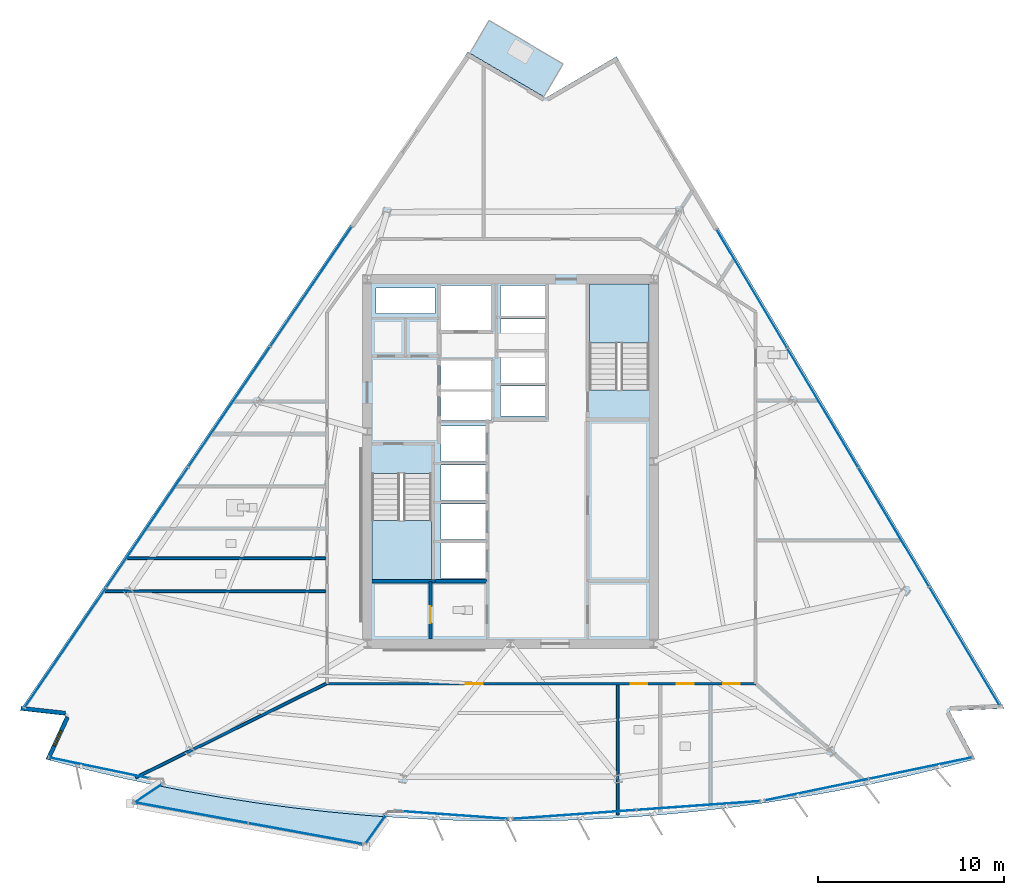
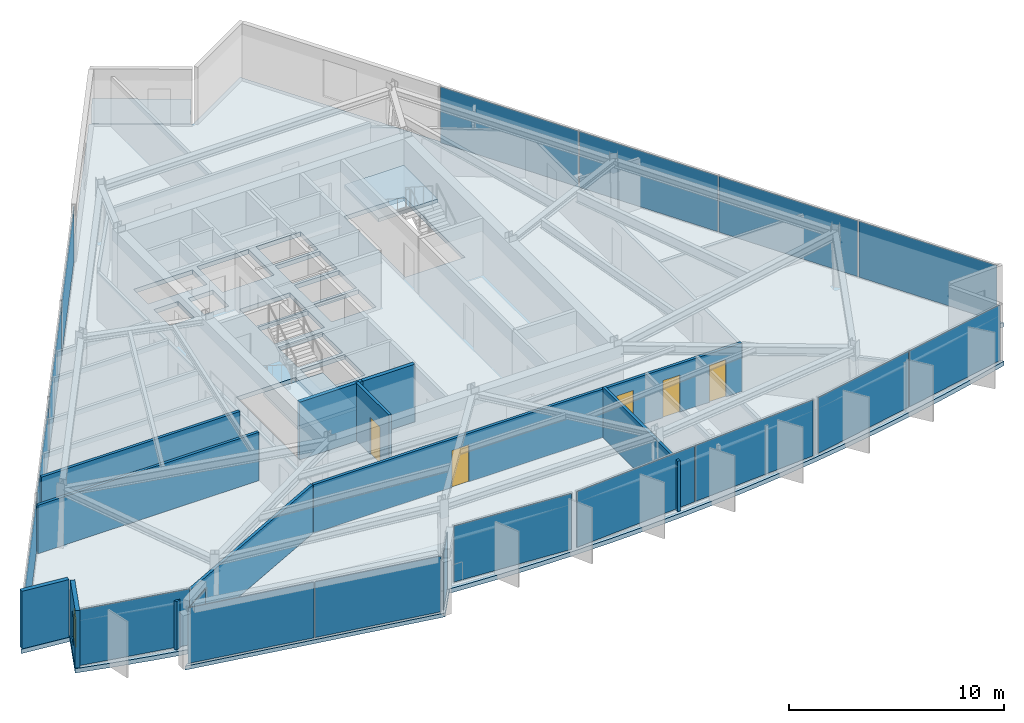
# One storey, part 7 of 14: 18 plates, 10 walls, 5 doors, 5 slabs, 1 window, 6 openings, 11 elements without a shape of their own.
"""IFC4 building model written with IfcOpenShell, lengths in metres."""

from ifc_helpers import new_model, si_unit, direction, frame, frame_2d, origin, origin_2d, place, context, subcontext, project, spatial, polyline, rectangle, outline, extrude, material, layer, layer_set, type_object, element, fill, aggregate, save


model = new_model("IFC4")

# Units and contexts
model_context = context("Model", 3, precision=1e-05, world=origin(), true_north=direction((0.0, 1.0)))
body_context = subcontext(model_context, "Body", "Model", "MODEL_VIEW")
ifc_project = project(units=[si_unit("LENGTHUNIT", "METRE"), si_unit("AREAUNIT", "SQUARE_METRE"), si_unit("VOLUMEUNIT", "CUBIC_METRE"), si_unit("PLANEANGLEUNIT", "RADIAN"), si_unit("MASSUNIT", "GRAM", prefix="KILO")], contexts=[model_context])

# Site, building, storey
site_placement = place(None, origin())
site = spatial("IfcSite", under=ifc_project, at=site_placement, CompositionType="ELEMENT")
building_placement = place(site_placement, origin())
building = spatial("IfcBuilding", under=site, at=building_placement, Name="Savorim Split Tower", CompositionType="ELEMENT")
storey_placement = place(building_placement, frame((0.0, 0.0, 181.800048828125)))
storey = spatial("IfcBuildingStorey", under=building, at=storey_placement, Name="L48", CompositionType="ELEMENT", Elevation=181.800048828125)

# Curtain wall, plate
ifc_material_1 = material(Name="Dark Ceramic-Fritted Insulated Glass", Category="glass")
curtain_wall_type_1 = type_object("IfcCurtainWallType", Name="CW-TWR-FRIT-B", PredefinedType="NOTDEFINED", material=ifc_material_1)
curtain_wall_1_placement = place(storey_placement, origin())
curtain_wall_1 = element("IfcCurtainWall", 1, at=curtain_wall_1_placement, inside=storey, type_object=curtain_wall_type_1, Name="L48 Curtain Wall CW-L48-SF1A", PredefinedType="NOTDEFINED")
ifc_layer_1 = layer(ifc_material_1, 0.02587890625)
ifc_layer_set_1 = layer_set([ifc_layer_1], Name="CWP-FRITB-26")
plate_type_1 = type_object("IfcPlateType", Name="CWP-FRITB-26", PredefinedType="CURTAIN_PANEL", material=ifc_layer_set_1)
plate_1_placement = place(storey_placement, frame((-22.120849609375, -16.081298828125, 0.0498046875), z_axis=(0.0, 0.0, 1.0), x_axis=(0.979132901408, -0.203220966883, 0.0)))
plate_1 = element("IfcPlate", 2, at=plate_1_placement, type_object=plate_type_1, Name="CW-03 panel 1.1", PredefinedType="CURTAIN_PANEL", context=body_context, shape_type="SweptSolid", body=[
    extrude(rectangle(XDim=5.4951171875, YDim=0.02587890625, at=origin_2d()), origin(), (0.0, 0.0, 1.0), 3.179931640625),
])
aggregate(curtain_wall_1, [plate_1])

curtain_wall_2_placement = place(storey_placement, origin())
curtain_wall_2 = element("IfcCurtainWall", 3, at=curtain_wall_2_placement, inside=storey, type_object=curtain_wall_type_1, Name="L48 Curtain Wall CW-L48-SF2A", PredefinedType="NOTDEFINED")
plate_2_placement = place(storey_placement, frame((-3.1806640625, -18.603515625, 0.0498046875), z_axis=(0.0, 0.0, 1.0), x_axis=(0.99743619777, -0.07156138189, 0.0)))
plate_2 = element("IfcPlate", 4, at=plate_2_placement, type_object=plate_type_1, Name="CW-03 panel 1.1", PredefinedType="CURTAIN_PANEL", context=body_context, shape_type="SweptSolid", body=[
    extrude(rectangle(XDim=6.07470703125, YDim=0.02587890625, at=origin_2d()), origin(), (0.0, 0.0, 1.0), 3.179931640625),
])
aggregate(curtain_wall_2, [plate_2])

# Curtain wall, plates
curtain_wall_3_placement = place(storey_placement, origin())
curtain_wall_3 = element("IfcCurtainWall", 5, at=curtain_wall_3_placement, inside=storey, type_object=curtain_wall_type_1, Name="L48 Curtain Wall CW-L48-SF3A", PredefinedType="NOTDEFINED")
plate_3_placement = place(storey_placement, frame((3.448974609375, -18.584228515625, 0.0498046875), z_axis=(0.0, 0.0, 1.0), x_axis=(0.997436348097, 0.07155928658, 0.0)))
plate_3 = element("IfcPlate", 6, at=plate_3_placement, type_object=plate_type_1, Name="CW-03 panel 1.1", PredefinedType="CURTAIN_PANEL", context=body_context, shape_type="SweptSolid", body=[
    extrude(rectangle(XDim=6.61279296875, YDim=0.02587890625, at=origin_2d()), origin(), (0.0, 0.0, 1.0), 3.179931640625),
])
plate_4_placement = place(storey_placement, frame((10.104736328125, -18.106689453125, 0.0498046875), z_axis=(0.0, 0.0, 1.0), x_axis=(0.997436348097, 0.07155928658, 0.0)))
plate_4 = element("IfcPlate", 7, at=plate_4_placement, type_object=plate_type_1, Name="CW-03 panel 2.1", PredefinedType="CURTAIN_PANEL", context=body_context, shape_type="SweptSolid", body=[
    extrude(rectangle(XDim=6.61279296875, YDim=0.02587890625, at=origin_2d()), origin(), (0.0, 0.0, 1.0), 3.179931640625),
])
aggregate(curtain_wall_3, [plate_3, plate_4])

curtain_wall_4_placement = place(storey_placement, origin())
curtain_wall_4 = element("IfcCurtainWall", 8, at=curtain_wall_4_placement, inside=storey, type_object=curtain_wall_type_1, Name="L48 Curtain Wall CW-L48-SF4A", PredefinedType="NOTDEFINED")
plate_5_placement = place(storey_placement, frame((16.46533203125, -17.255126953125, 0.0498046875), z_axis=(0.0, 0.0, 1.0), x_axis=(0.979133837467, 0.20321645683, 0.0)))
plate_5 = element("IfcPlate", 9, at=plate_5_placement, type_object=plate_type_1, Name="CW-03 panel 1.1", PredefinedType="CURTAIN_PANEL", context=body_context, shape_type="SweptSolid", body=[
    extrude(rectangle(XDim=5.642333984375, YDim=0.02587890625, at=origin_2d()), origin(), (0.0, 0.0, 1.0), 3.179931640625),
])
plate_6_placement = place(storey_placement, frame((22.048583984375, -16.09619140625, 0.0498046875), z_axis=(0.0, 0.0, 1.0), x_axis=(0.979133837467, 0.20321645683, 0.0)))
plate_6 = element("IfcPlate", 10, at=plate_6_placement, type_object=plate_type_1, Name="CW-03 panel 2.1", PredefinedType="CURTAIN_PANEL", context=body_context, shape_type="SweptSolid", body=[
    extrude(rectangle(XDim=5.642333984375, YDim=0.02587890625, at=origin_2d()), origin(), (0.0, 0.0, 1.0), 3.179931640625),
])
aggregate(curtain_wall_4, [plate_5, plate_6])

curtain_wall_5_placement = place(storey_placement, origin())
curtain_wall_5 = element("IfcCurtainWall", 11, at=curtain_wall_5_placement, inside=storey, type_object=curtain_wall_type_1, Name="L48 Curtain Wall CW-L48-EAST", PredefinedType="NOTDEFINED")
plate_7_placement = place(storey_placement, frame((24.410400390625, -9.536865234375, 0.0498046875), z_axis=(0.0, 0.0, 1.0), x_axis=(-0.511093786039, 0.85952495128, 0.0)))
plate_7 = element("IfcPlate", 12, at=plate_7_placement, type_object=plate_type_1, Name="CW-03 panel 1.1", PredefinedType="CURTAIN_PANEL", context=body_context, shape_type="SweptSolid", body=[
    extrude(rectangle(XDim=7.37353515625, YDim=0.02587890625, at=origin_2d()), origin(), (0.0, 0.0, 1.0), 3.179931640625),
])
plate_8_placement = place(storey_placement, frame((20.603515625, -3.134765625, 0.0498046875), z_axis=(0.0, 0.0, 1.0), x_axis=(-0.511093786039, 0.85952495128, 0.0)))
plate_8 = element("IfcPlate", 13, at=plate_8_placement, type_object=plate_type_1, Name="CW-03 panel 2.1", PredefinedType="CURTAIN_PANEL", context=body_context, shape_type="SweptSolid", body=[
    extrude(rectangle(XDim=7.403564453125, YDim=0.02587890625, at=origin_2d()), origin(), (0.0, 0.0, 1.0), 3.179931640625),
])
plate_9_placement = place(storey_placement, frame((16.7890625, 3.2802734375, 0.0498046875), z_axis=(0.0, 0.0, 1.0), x_axis=(-0.511093786039, 0.85952495128, 0.0)))
plate_9 = element("IfcPlate", 14, at=plate_9_placement, type_object=plate_type_1, Name="CW-03 panel 3.1", PredefinedType="CURTAIN_PANEL", context=body_context, shape_type="SweptSolid", body=[
    extrude(rectangle(XDim=7.403564453125, YDim=0.02587890625, at=origin_2d()), origin(), (0.0, 0.0, 1.0), 3.179931640625),
])
plate_10_placement = place(storey_placement, frame((12.982177734375, 9.682373046875, 0.0498046875), z_axis=(0.0, 0.0, 1.0), x_axis=(-0.511093786039, 0.85952495128, 0.0)))
plate_10 = element("IfcPlate", 15, at=plate_10_placement, type_object=plate_type_1, Name="CW-03 panel 4.1", PredefinedType="CURTAIN_PANEL", context=body_context, shape_type="SweptSolid", body=[
    extrude(rectangle(XDim=7.37353515625, YDim=0.02587890625, at=origin_2d()), origin(), (0.0, 0.0, 1.0), 3.179931640625),
])
aggregate(curtain_wall_5, [plate_7, plate_8, plate_9, plate_10])

curtain_wall_6_placement = place(storey_placement, origin())
curtain_wall_6 = element("IfcCurtainWall", 16, at=curtain_wall_6_placement, inside=storey, type_object=curtain_wall_type_1, Name="L48 Curtain Wall CW-L48-WEST", PredefinedType="NOTDEFINED")
plate_11_placement = place(storey_placement, frame((-10.730224609375, 9.800048828125, 0.0498046875), z_axis=(0.0, 0.0, 1.0), x_axis=(-0.562467714384, -0.826819248854, 0.0)))
plate_11 = element("IfcPlate", 17, at=plate_11_placement, type_object=plate_type_1, Name="CW-03 panel 1.1", PredefinedType="CURTAIN_PANEL", context=body_context, shape_type="SweptSolid", body=[
    extrude(rectangle(XDim=7.74951171875, YDim=0.02587890625, at=origin_2d()), origin(), (0.0, 0.0, 1.0), 3.179931640625),
])
plate_12_placement = place(storey_placement, frame((-15.13134765625, 3.33056640625, 0.0498046875), z_axis=(0.0, 0.0, 1.0), x_axis=(-0.562467714384, -0.826819248854, 0.0)))
plate_12 = element("IfcPlate", 18, at=plate_12_placement, type_object=plate_type_1, Name="CW-03 panel 2.1", PredefinedType="CURTAIN_PANEL", context=body_context, shape_type="SweptSolid", body=[
    extrude(rectangle(XDim=7.779541015625, YDim=0.02587890625, at=origin_2d()), origin(), (0.0, 0.0, 1.0), 3.179931640625),
])
plate_13_placement = place(storey_placement, frame((-19.540771484375, -3.1513671875, 0.0498046875), z_axis=(0.0, 0.0, 1.0), x_axis=(-0.562467714384, -0.826819248854, 0.0)))
plate_13 = element("IfcPlate", 19, at=plate_13_placement, type_object=plate_type_1, Name="CW-03 panel 3.1", PredefinedType="CURTAIN_PANEL", context=body_context, shape_type="SweptSolid", body=[
    extrude(rectangle(XDim=7.779541015625, YDim=0.02587890625, at=origin_2d()), origin(), (0.0, 0.0, 1.0), 3.179931640625),
])
plate_14_placement = place(storey_placement, frame((-23.94189453125, -9.620849609375, 0.0498046875), z_axis=(0.0, 0.0, 1.0), x_axis=(-0.562467714384, -0.826819248854, 0.0)))
plate_14 = element("IfcPlate", 20, at=plate_14_placement, type_object=plate_type_1, Name="CW-03 panel 4.1", PredefinedType="CURTAIN_PANEL", context=body_context, shape_type="SweptSolid", body=[
    extrude(rectangle(XDim=7.74951171875, YDim=0.02587890625, at=origin_2d()), origin(), (0.0, 0.0, 1.0), 3.179931640625),
])
aggregate(curtain_wall_6, [plate_11, plate_12, plate_13, plate_14])

curtain_wall_type_2 = type_object("IfcCurtainWallType", Name="CW-BAY-LOUNGE", PredefinedType="NOTDEFINED", material=ifc_material_1)
curtain_wall_7_placement = place(storey_placement, origin())
curtain_wall_7 = element("IfcCurtainWall", 21, at=curtain_wall_7_placement, inside=storey, type_object=curtain_wall_type_2, Name="L48 Curtain Wall CW-L48-BAYF", PredefinedType="NOTDEFINED")
ifc_material_2 = material(Name="Low-E Operable Double Glazing", Category="glass")
ifc_layer_2 = layer(ifc_material_2, 0.031982421875)
ifc_layer_set_2 = layer_set([ifc_layer_2], Name="CWP-POD-32")
plate_type_2 = type_object("IfcPlateType", Name="CWP-POD-32", PredefinedType="CURTAIN_PANEL", material=ifc_layer_set_2)
plate_15_placement = place(storey_placement, frame((-17.201171875, -18.489501953125, 0.054931640625), z_axis=(0.0, 0.0, 1.0), x_axis=(0.983754673364, -0.17951808442, 0.0)))
plate_15 = element("IfcPlate", 22, at=plate_15_placement, type_object=plate_type_2, Name="CW-04 panel 1.1", PredefinedType="CURTAIN_PANEL", context=body_context, shape_type="SweptSolid", body=[
    extrude(rectangle(XDim=6.22412109375, YDim=0.031982421875, at=origin_2d()), origin(), (0.0, 0.0, 1.0), 3.169921875),
])
plate_16_placement = place(storey_placement, frame((-11.01416015625, -19.618408203125, 0.054931640625), z_axis=(0.0, 0.0, 1.0), x_axis=(0.983754673364, -0.17951808442, 0.0)))
plate_16 = element("IfcPlate", 23, at=plate_16_placement, type_object=plate_type_2, Name="CW-04 panel 2.1", PredefinedType="CURTAIN_PANEL", context=body_context, shape_type="SweptSolid", body=[
    extrude(rectangle(XDim=6.22412109375, YDim=0.031982421875, at=origin_2d()), origin(), (0.0, 0.0, 1.0), 3.169921875),
])
aggregate(curtain_wall_7, [plate_15, plate_16])

# Curtain wall, plate
curtain_wall_8_placement = place(storey_placement, origin())
curtain_wall_8 = element("IfcCurtainWall", 24, at=curtain_wall_8_placement, inside=storey, type_object=curtain_wall_type_2, Name="L48 Curtain Wall CW-L48-BAYW", PredefinedType="NOTDEFINED")
plate_17_placement = place(storey_placement, frame((-19.4755859375, -17.45166015625, 0.054931640625), z_axis=(0.0, 0.0, 1.0), x_axis=(-0.829416830494, -0.558630218743, 0.0)))
plate_17 = element("IfcPlate", 25, at=plate_17_placement, type_object=plate_type_2, Name="CW-04 panel 1.1", PredefinedType="CURTAIN_PANEL", context=body_context, shape_type="SweptSolid", body=[
    extrude(rectangle(XDim=1.705078125, YDim=0.031982421875, at=origin_2d()), origin(), (0.0, 0.0, 1.0), 3.169921875),
])
aggregate(curtain_wall_8, [plate_17])

curtain_wall_9_placement = place(storey_placement, origin())
curtain_wall_9 = element("IfcCurtainWall", 26, at=curtain_wall_9_placement, inside=storey, type_object=curtain_wall_type_2, Name="L48 Curtain Wall CW-L48-BAYE", PredefinedType="NOTDEFINED")
plate_18_placement = place(storey_placement, frame((-7.248291015625, -19.3798828125, 0.054931640625), z_axis=(0.0, 0.0, 1.0), x_axis=(0.581096777176, 0.813834464468, 0.0)))
plate_18 = element("IfcPlate", 27, at=plate_18_placement, type_object=plate_type_2, Name="CW-04 panel 1.1", PredefinedType="CURTAIN_PANEL", context=body_context, shape_type="SweptSolid", body=[
    extrude(rectangle(XDim=1.81005859375, YDim=0.031982421875, at=origin_2d()), origin(), (0.0, 0.0, 1.0), 3.169921875),
])
aggregate(curtain_wall_9, [plate_18])

# Slabs
ifc_material_3 = material(Name="Concrete C50/60", Category="concrete")
ifc_layer_3 = layer(ifc_material_3, 0.219970703125)
ifc_layer_set_3 = layer_set([ifc_layer_3], Name="SLB-BAL-220")
slab_type_1 = type_object("IfcSlabType", Name="SLB-BAL-220", PredefinedType="FLOOR", material=ifc_layer_set_3)
slab_1_placement = place(storey_placement, frame((0.0, 0.0, -0.219970703125)))
element("IfcSlab", 28, at=slab_1_placement, inside=storey, type_object=slab_type_1, Name="L48 Cantilevered Shared Kitchen Lounge Slab", PredefinedType="FLOOR", context=body_context, shape_type="SweptSolid", body=[
    extrude(outline(polyline([(-6.650146484375, -18.714111328125), (-7.772705078125, -18.6337890625), (-9.709716796875, -18.454833984375), (-11.642578125, -18.236328125), (-13.57080078125, -17.978515625), (-15.4931640625, -17.680908203125), (-17.4091796875, -17.34423828125), (-19.023193359375, -17.026611328125), (-20.462646484375, -17.995849609375), (-7.78857421875, -20.30859375), (-6.650146484375, -18.714111328125)])), origin(), (0.0, 0.0, 1.0), 0.219970703125),
])
slab_2_placement = place(storey_placement, frame((0.0, 0.0, -0.219970703125)))
element("IfcSlab", 29, at=slab_2_placement, inside=storey, type_object=slab_type_1, Name="L48 Notched Corner Planted Tree Balcony Slab", PredefinedType="FLOOR", context=body_context, shape_type="SweptSolid", body=[
    extrude(outline(polyline([(-2.189453125, 22.35595703125), (1.791015625, 20.0166015625), (2.8271484375, 21.779541015625), (-1.1533203125, 24.119140625), (-2.189453125, 22.35595703125)])), origin(), (0.0, 0.0, 1.0), 0.219970703125),
])

# Stair, slab
stair_type = type_object("IfcStairType", Name="STR-DOG-3600", PredefinedType="HALF_TURN_STAIR", material=ifc_material_3)
stair_1_placement = place(storey_placement, origin())
stair_1 = element("IfcStair", 30, at=stair_1_placement, inside=storey, type_object=stair_type, Name="L48 Core Protected Exit Stair ST-1", PredefinedType="HALF_TURN_STAIR")
ifc_layer_4 = layer(ifc_material_3, 0.199951171875)
ifc_layer_set_4 = layer_set([ifc_layer_4], Name="SLB-LND-200")
slab_type_2 = type_object("IfcSlabType", Name="SLB-LND-200", PredefinedType="LANDING", material=ifc_layer_set_4)
slab_3_placement = place(storey_placement, frame((0.0, 0.0, 1.599853515625)))
slab_3 = element("IfcSlab", 31, at=slab_3_placement, type_object=slab_type_2, Name="ST-1 landing 1", PredefinedType="LANDING", context=body_context, shape_type="SweptSolid", body=[
    extrude(outline(polyline([(-7.449951171875, -2.77001953125), (-7.449951171875, -5.949951171875), (-4.25, -5.949951171875), (-4.25, -2.77001953125), (-7.449951171875, -2.77001953125)])), origin(), (0.0, 0.0, 1.0), 0.2001953125),
])
aggregate(stair_1, [slab_3])

stair_2_placement = place(storey_placement, origin())
stair_2 = element("IfcStair", 32, at=stair_2_placement, inside=storey, type_object=stair_type, Name="L48 Core Protected Exit Stair ST-2", PredefinedType="HALF_TURN_STAIR")
slab_4_placement = place(storey_placement, frame((0.0, 0.0, 1.599853515625)))
slab_4 = element("IfcSlab", 33, at=slab_4_placement, type_object=slab_type_2, Name="ST-2 landing 1", PredefinedType="LANDING", context=body_context, shape_type="SweptSolid", body=[
    extrude(outline(polyline([(7.449951171875, 6.77001953125), (7.449951171875, 9.949951171875), (4.25, 9.949951171875), (4.25, 6.77001953125), (7.449951171875, 6.77001953125)])), origin(), (0.0, 0.0, 1.0), 0.2001953125),
])
aggregate(stair_2, [slab_4])

# Slab
ifc_layer_5 = layer(ifc_material_3, 0.25)
ifc_layer_set_5 = layer_set([ifc_layer_5], Name="SLB-TWR-250")
slab_type_3 = type_object("IfcSlabType", Name="SLB-TWR-250", PredefinedType="FLOOR", material=ifc_layer_set_5)
slab_5_placement = place(storey_placement, frame((0.0, 0.0, -0.25)))
element("IfcSlab", 34, at=slab_5_placement, inside=storey, type_object=slab_type_3, Name="L48 Structural Floor Slab", PredefinedType="FLOOR", context=body_context, shape_type="SweptSolid", body=[
    extrude(outline(polyline([(-24.991943359375, -15.60791015625), (-23.110107421875, -16.10009765625), (-21.21826171875, -16.5537109375), (-19.31787109375, -16.968505859375), (-17.4091796875, -17.34423828125), (-15.4931640625, -17.680908203125), (-13.57080078125, -17.978515625), (-11.642578125, -18.236328125), (-9.709716796875, -18.454833984375), (-7.772705078125, -18.6337890625), (-5.832275390625, -18.77294921875), (-3.8896484375, -18.872314453125), (-1.9453125, -18.93212890625), (0.0, -18.951904296875), (1.9453125, -18.93212890625), (3.8896484375, -18.872314453125), (5.832275390625, -18.77294921875), (7.772705078125, -18.6337890625), (9.709716796875, -18.454833984375), (11.642578125, -18.236328125), (13.57080078125, -17.978515625), (15.4931640625, -17.680908203125), (17.4091796875, -17.34423828125), (19.31787109375, -16.968505859375), (21.21826171875, -16.5537109375), (23.110107421875, -16.10009765625), (24.991943359375, -15.60791015625), (23.59814453125, -13.01025390625), (26.541015625, -12.885009765625), (5.697021484375, 22.1689453125), (1.89208984375, 19.951416015625), (-2.29541015625, 22.41259765625), (-26.378173828125, -12.988525390625), (-23.914794921875, -13.263671875), (-24.991943359375, -15.60791015625)]), holes=[polyline([(-7.449951171875, -0.25390625), (-7.449951171875, -5.949951171875), (-4.25, -5.949951171875), (-4.25, -0.25390625), (-7.449951171875, -0.25390625)]), polyline([(7.449951171875, 4.25390625), (7.449951171875, 9.949951171875), (4.25, 9.949951171875), (4.25, 4.25390625), (7.449951171875, 4.25390625)]), polyline([(-3.75, -5.89990234375), (-1.35009765625, -5.89990234375), (-1.35009765625, -4.0), (-3.75, -4.0), (-3.75, -5.89990234375)]), polyline([(-3.75, -3.800048828125), (-1.35009765625, -3.800048828125), (-1.35009765625, -1.89990234375), (-3.75, -1.89990234375), (-3.75, -3.800048828125)]), polyline([(-3.75, -1.699951171875), (-1.35009765625, -1.699951171875), (-1.35009765625, 0.199951171875), (-3.75, 0.199951171875), (-3.75, -1.699951171875)]), polyline([(-3.75, 0.39990234375), (-1.35009765625, 0.39990234375), (-1.35009765625, 2.300048828125), (-3.75, 2.300048828125), (-3.75, 0.39990234375)]), polyline([(-0.550048828125, 2.830078125), (1.85009765625, 2.830078125), (1.85009765625, 4.469970703125), (-0.550048828125, 4.469970703125), (-0.550048828125, 2.830078125)]), polyline([(-0.550048828125, 4.6298828125), (1.85009765625, 4.6298828125), (1.85009765625, 6.27001953125), (-0.550048828125, 6.27001953125), (-0.550048828125, 4.6298828125)]), polyline([(-0.550048828125, 6.429931640625), (1.85009765625, 6.429931640625), (1.85009765625, 8.070068359375), (-0.550048828125, 8.070068359375), (-0.550048828125, 6.429931640625)]), polyline([(-0.550048828125, 8.22998046875), (1.85009765625, 8.22998046875), (1.85009765625, 9.8701171875), (-0.550048828125, 9.8701171875), (-0.550048828125, 8.22998046875)]), polyline([(-3.75, 2.60009765625), (-1.050048828125, 2.60009765625), (-1.050048828125, 4.159912109375), (-3.75, 4.159912109375), (-3.75, 2.60009765625)]), polyline([(-3.75, 4.280029296875), (-1.050048828125, 4.280029296875), (-1.050048828125, 5.840087890625), (-3.75, 5.840087890625), (-3.75, 4.280029296875)]), polyline([(-3.75, 7.449951171875), (-0.949951171875, 7.449951171875), (-0.949951171875, 9.85009765625), (-3.75, 9.85009765625), (-3.75, 7.449951171875)]), polyline([(-7.219970703125, 6.320068359375), (-5.919921875, 6.320068359375), (-5.919921875, 7.820068359375), (-7.219970703125, 7.820068359375), (-7.219970703125, 6.320068359375)]), polyline([(-5.3798828125, 6.320068359375), (-4.050048828125, 6.320068359375), (-4.050048828125, 7.820068359375), (-5.3798828125, 7.820068359375), (-5.3798828125, 6.320068359375)]), polyline([(-7.219970703125, 8.360107421875), (-4.050048828125, 8.360107421875), (-4.050048828125, 9.719970703125), (-7.219970703125, 9.719970703125), (-7.219970703125, 8.360107421875)])]), origin(), (0.0, 0.0, 1.0), 0.25),
])

# Wall
ifc_material_4 = material(Name="Precast concrete C40/50", Category="concrete")
ifc_layer_6 = layer(ifc_material_4, 0.219970703125)
ifc_layer_set_6 = layer_set([ifc_layer_6], Name="WAL-EXT-CRN220")
wall_type_1 = type_object("IfcWallType", Name="WAL-EXT-CRN220", PredefinedType="SOLIDWALL", material=ifc_layer_set_6)
wall_1_placement = place(storey_placement, frame((-23.94140625, -13.139892578125, 0.0), z_axis=(0.0, 0.0, 1.0), x_axis=(-0.993825249999, 0.110956624245, 0.0)))
element("IfcWall", 35, at=wall_1_placement, inside=storey, type_object=wall_type_1, Name="L48 Notched Corner Facade Wall SW1", PredefinedType="SOLIDWALL", context=body_context, shape_type="SweptSolid", body=[
    extrude(rectangle(XDim=2.3984375, YDim=0.219970703125, at=frame_2d((1.19921875, 0.0))), origin(), (0.0, 0.0, 1.0), 3.280029296875),
])

# Wall, opening, window
wall_2_placement = place(storey_placement, frame((-24.8662109375, -15.621826171875, 0.0), z_axis=(0.0, 0.0, 1.0), x_axis=(0.417478378529, 0.908686856657, 0.0)))
wall_2 = element("IfcWall", 36, at=wall_2_placement, inside=storey, type_object=wall_type_1, Name="L48 Notched Corner Facade Wall SW", PredefinedType="SOLIDWALL", context=body_context, shape_type="SweptSolid", body=[
    extrude(rectangle(XDim=2.5, YDim=0.219970703125, at=frame_2d((1.25, 0.0))), origin(), (0.0, 0.0, 1.0), 3.280029296875),
])
opening_1_placement = place(wall_2_placement, frame((0.800048828125, 0.0, 0.6201171875)))
opening_1 = element("IfcOpeningElement", 37, at=opening_1_placement, cuts=wall_2, Name="Opening WN-10", PredefinedType="OPENING", context=body_context, shape_type="SweptSolid", body=[
    extrude(rectangle(XDim=0.89990234375, YDim=1.60009765625, at=frame_2d((0.449951171875, 0.800048828125))), frame((0.0, 0.119873046875, 0.0), z_axis=(0.0, -1.0, 0.0), x_axis=(1.0, 0.0, 0.0)), (0.0, 0.0, 1.0), 0.239990234375),
])
window_type = type_object("IfcWindowType", Name="WIN-TWR-900x1600", PartitioningType="SINGLE_PANEL", PredefinedType="WINDOW", material=ifc_material_2)
window_placement = place(opening_1_placement, origin())
window = element("IfcWindow", 38, at=window_placement, inside=storey, type_object=window_type, Name="L48 Operable Corner Window SW", OverallHeight=1.60009765625, OverallWidth=0.89990234375, PartitioningType="SINGLE_PANEL", PredefinedType="WINDOW", context=body_context, shape_type="SweptSolid", body=[
    extrude(rectangle(XDim=0.89990234375, YDim=1.60009765625, at=frame_2d((0.449951171875, 0.800048828125))), frame((0.0, 0.030029296875, 0.0), z_axis=(0.0, -1.0, 0.0), x_axis=(1.0, 0.0, 0.0)), (0.0, 0.0, 1.0), 0.06005859375),
])
fill(opening_1, window)

# Walls
ifc_layer_7 = layer(ifc_material_3, 0.199951171875)
ifc_layer_set_7 = layer_set([ifc_layer_7], Name="WAL-INT-RC200")
wall_type_2 = type_object("IfcWallType", Name="WAL-INT-RC200", PredefinedType="SOLIDWALL", material=ifc_layer_set_7)
wall_3_placement = place(storey_placement, frame((-7.449951171875, -6.050048828125, 0.0), z_axis=(0.0, 0.0, 1.0), x_axis=(1.0, 0.0, 0.0)))
element("IfcWall", 39, at=wall_3_placement, inside=storey, type_object=wall_type_2, Name="L48 Structural Shaft Wall W-L48-KSEP-W", PredefinedType="SOLIDWALL", context=body_context, shape_type="SweptSolid", body=[
    extrude(rectangle(XDim=3.39990234375, YDim=0.199951171875, at=frame_2d((1.699951171875, 0.0))), origin(), (0.0, 0.0, 1.0), 3.280029296875),
])
wall_4_placement = place(storey_placement, frame((-4.0400390625, -6.050048828125, 0.0), z_axis=(0.0, 0.0, 1.0), x_axis=(1.0, 0.0, 0.0)))
element("IfcWall", 40, at=wall_4_placement, inside=storey, type_object=wall_type_2, Name="L48 Partition W-L48-KSEP-W2", PredefinedType="SOLIDWALL", context=body_context, shape_type="SweptSolid", body=[
    extrude(rectangle(XDim=2.7900390625, YDim=0.199951171875, at=frame_2d((1.39501953125, 0.0))), origin(), (0.0, 0.0, 1.0), 3.280029296875),
])

# Wall, opening, door
ifc_material_5 = material(Name="Acoustic Gypsum Partition Board")
ifc_layer_8 = layer(ifc_material_5, 0.14990234375)
ifc_layer_set_8 = layer_set([ifc_layer_8], Name="WAL-PAR-150")
wall_type_3 = type_object("IfcWallType", Name="WAL-PAR-150", PredefinedType="PARTITIONING", material=ifc_layer_set_8)
wall_5_placement = place(storey_placement, frame((-4.300048828125, -9.14501953125, 0.0), z_axis=(0.0, 0.0, 1.0), x_axis=(0.0, 1.0, 0.0)))
wall_5 = element("IfcWall", 41, at=wall_5_placement, inside=storey, type_object=wall_type_3, Name="L48 Partition W-L48-K1W", PredefinedType="PARTITIONING", context=body_context, shape_type="SweptSolid", body=[
    extrude(rectangle(XDim=3.094970703125, YDim=0.14990234375, at=frame_2d((1.54736328125, 0.0))), origin(), (0.0, 0.0, 1.0), 3.280029296875),
])
opening_2_placement = place(wall_5_placement, frame((0.844970703125, 0.0, 0.0)))
opening_2 = element("IfcOpeningElement", 42, at=opening_2_placement, cuts=wall_5, Name="Opening DI-06", PredefinedType="OPENING", context=body_context, shape_type="SweptSolid", body=[
    extrude(rectangle(XDim=0.89990234375, YDim=2.10009765625, at=frame_2d((0.449951171875, 1.050048828125))), frame((0.0, 0.0849609375, 0.0), z_axis=(0.0, -1.0, 0.0), x_axis=(1.0, 0.0, 0.0)), (0.0, 0.0, 1.0), 0.169921875),
])
ifc_material_6 = material(Name="Timber Fire Door Leaf", Category="wood")
door_type = type_object("IfcDoorType", Name="DOR-FIR-900", OperationType="NOTDEFINED", PredefinedType="DOOR", material=ifc_material_6)
door_1_placement = place(opening_2_placement, origin())
door_1 = element("IfcDoor", 43, at=door_1_placement, inside=storey, type_object=door_type, Name="DR-L48-K1HK - L48 Housekeeping Store Door", OperationType="SINGLE_SWING_RIGHT", OverallHeight=2.10009765625, OverallWidth=0.89990234375, PredefinedType="DOOR", context=body_context, shape_type="SweptSolid", body=[
    extrude(rectangle(XDim=0.89990234375, YDim=2.10009765625, at=frame_2d((0.449951171875, 1.050048828125))), frame((0.0, 0.02490234375, 0.0), z_axis=(0.0, -1.0, 0.0), x_axis=(1.0, 0.0, 0.0)), (0.0, 0.0, 1.0), 0.050048828125),
])
fill(opening_2, door_1)

# Wall, openings, doors
wall_6_placement = place(storey_placement, frame((13.179931640625, -11.56005859375, 0.0), z_axis=(0.0, 0.0, 1.0), x_axis=(-1.0, 0.0, 0.0)))
wall_6 = element("IfcWall", 44, at=wall_6_placement, inside=storey, type_object=wall_type_3, Name="L48 Partition W-L48-COR-06", PredefinedType="PARTITIONING", context=body_context, shape_type="SweptSolid", body=[
    extrude(rectangle(XDim=23.0400390625, YDim=0.14990234375, at=frame_2d((11.52001953125, 0.0))), origin(), (0.0, 0.0, 1.0), 2.7548828125),
])
opening_3_placement = place(wall_6_placement, frame((14.683837890625, 0.0, 0.0)))
opening_3 = element("IfcOpeningElement", 45, at=opening_3_placement, cuts=wall_6, Name="Opening DI-06", PredefinedType="OPENING", context=body_context, shape_type="SweptSolid", body=[
    extrude(rectangle(XDim=0.89990234375, YDim=2.10009765625, at=frame_2d((0.449951171875, 1.050048828125))), frame((0.0, 0.0849609375, 0.0), z_axis=(0.0, -1.0, 0.0), x_axis=(1.0, 0.0, 0.0)), (0.0, 0.0, 1.0), 0.169921875),
])
opening_4_placement = place(wall_6_placement, frame((5.822021484375, 0.0, 0.0)))
opening_4 = element("IfcOpeningElement", 46, at=opening_4_placement, cuts=wall_6, Name="Opening DI-06", PredefinedType="OPENING", context=body_context, shape_type="SweptSolid", body=[
    extrude(rectangle(XDim=0.89990234375, YDim=2.10009765625, at=frame_2d((0.449951171875, 1.050048828125))), frame((0.0, 0.0849609375, 0.0), z_axis=(0.0, -1.0, 0.0), x_axis=(1.0, 0.0, 0.0)), (0.0, 0.0, 1.0), 0.169921875),
])
opening_5_placement = place(wall_6_placement, frame((3.33056640625, 0.0, 0.0)))
opening_5 = element("IfcOpeningElement", 47, at=opening_5_placement, cuts=wall_6, Name="Opening DI-06", PredefinedType="OPENING", context=body_context, shape_type="SweptSolid", body=[
    extrude(rectangle(XDim=0.89990234375, YDim=2.10009765625, at=frame_2d((0.449951171875, 1.050048828125))), frame((0.0, 0.0849609375, 0.0), z_axis=(0.0, -1.0, 0.0), x_axis=(1.0, 0.0, 0.0)), (0.0, 0.0, 1.0), 0.169921875),
])
opening_6_placement = place(wall_6_placement, frame((0.85107421875, 0.0, 0.0)))
opening_6 = element("IfcOpeningElement", 48, at=opening_6_placement, cuts=wall_6, Name="Opening DI-06", PredefinedType="OPENING", context=body_context, shape_type="SweptSolid", body=[
    extrude(rectangle(XDim=0.89990234375, YDim=2.10009765625, at=frame_2d((0.449951171875, 1.050048828125))), frame((0.0, 0.0849609375, 0.0), z_axis=(0.0, -1.0, 0.0), x_axis=(1.0, 0.0, 0.0)), (0.0, 0.0, 1.0), 0.169921875),
])
door_2_placement = place(opening_3_placement, origin())
door_2 = element("IfcDoor", 49, at=door_2_placement, inside=storey, type_object=door_type, Name="DR-L48-RM05 - L48 Maker Workshop Entry Door", OperationType="SINGLE_SWING_RIGHT", OverallHeight=2.10009765625, OverallWidth=0.89990234375, PredefinedType="DOOR", context=body_context, shape_type="SweptSolid", body=[
    extrude(rectangle(XDim=0.89990234375, YDim=2.10009765625, at=frame_2d((0.449951171875, 1.050048828125))), frame((0.0, 0.02490234375, 0.0), z_axis=(0.0, -1.0, 0.0), x_axis=(1.0, 0.0, 0.0)), (0.0, 0.0, 1.0), 0.050048828125),
])
fill(opening_3, door_2)
door_3_placement = place(opening_4_placement, origin())
door_3 = element("IfcDoor", 50, at=door_3_placement, inside=storey, type_object=door_type, Name="DR-L48-RM06 - L48 Shared Kitchen Entry Door", OperationType="SINGLE_SWING_LEFT", OverallHeight=2.10009765625, OverallWidth=0.89990234375, PredefinedType="DOOR", context=body_context, shape_type="SweptSolid", body=[
    extrude(rectangle(XDim=0.89990234375, YDim=2.10009765625, at=frame_2d((0.449951171875, 1.050048828125))), frame((0.0, 0.02490234375, 0.0), z_axis=(0.0, -1.0, 0.0), x_axis=(1.0, 0.0, 0.0)), (0.0, 0.0, 1.0), 0.050048828125),
])
fill(opening_4, door_3)
door_4_placement = place(opening_5_placement, origin())
door_4 = element("IfcDoor", 51, at=door_4_placement, inside=storey, type_object=door_type, Name="DR-L48-RM07 - L48 Shared Kitchen Entry Door", OperationType="SINGLE_SWING_RIGHT", OverallHeight=2.10009765625, OverallWidth=0.89990234375, PredefinedType="DOOR", context=body_context, shape_type="SweptSolid", body=[
    extrude(rectangle(XDim=0.89990234375, YDim=2.10009765625, at=frame_2d((0.449951171875, 1.050048828125))), frame((0.0, 0.02490234375, 0.0), z_axis=(0.0, -1.0, 0.0), x_axis=(1.0, 0.0, 0.0)), (0.0, 0.0, 1.0), 0.050048828125),
])
fill(opening_5, door_4)
door_5_placement = place(opening_6_placement, origin())
door_5 = element("IfcDoor", 52, at=door_5_placement, inside=storey, type_object=door_type, Name="DR-L48-RM08 - L48 Communal Lounge Entry Door", OperationType="SINGLE_SWING_LEFT", OverallHeight=2.10009765625, OverallWidth=0.89990234375, PredefinedType="DOOR", context=body_context, shape_type="SweptSolid", body=[
    extrude(rectangle(XDim=0.89990234375, YDim=2.10009765625, at=frame_2d((0.449951171875, 1.050048828125))), frame((0.0, 0.02490234375, 0.0), z_axis=(0.0, -1.0, 0.0), x_axis=(1.0, 0.0, 0.0)), (0.0, 0.0, 1.0), 0.050048828125),
])
fill(opening_6, door_5)

# Walls
wall_7_placement = place(storey_placement, frame((-9.9033203125, -11.5458984375, 0.0), z_axis=(0.0, 0.0, 1.0), x_axis=(-0.896703019524, -0.442632686069, 0.0)))
element("IfcWall", 53, at=wall_7_placement, inside=storey, type_object=wall_type_3, Name="L48 Partition W-L48-PRAD01", PredefinedType="PARTITIONING", context=body_context, shape_type="SweptSolid", body=[
    extrude(rectangle(XDim=11.441162109375, YDim=0.14990234375, at=frame_2d((5.720703125, 0.0))), origin(), (0.0, 0.0, 1.0), 2.7548828125),
])
wall_8_placement = place(storey_placement, frame((5.773681640625, -11.6201171875, 0.0), z_axis=(0.0, 0.0, 1.0), x_axis=(0.0, -1.0, 0.0)))
element("IfcWall", 54, at=wall_8_placement, inside=storey, type_object=wall_type_3, Name="L48 Partition W-L48-PRAD03", PredefinedType="PARTITIONING", context=body_context, shape_type="SweptSolid", body=[
    extrude(rectangle(XDim=6.985595703125, YDim=0.14990234375, at=frame_2d((3.49267578125, 0.0))), origin(), (0.0, 0.0, 1.0), 2.864990234375),
])
wall_9_placement = place(storey_placement, frame((-9.919921875, -6.5849609375, 0.0), z_axis=(0.0, 0.0, 1.0), x_axis=(-1.0, 0.0, 0.0)))
element("IfcWall", 55, at=wall_9_placement, inside=storey, type_object=wall_type_3, Name="L48 Partition W-L48-PRAD10", PredefinedType="PARTITIONING", context=body_context, shape_type="SweptSolid", body=[
    extrude(rectangle(XDim=11.896240234375, YDim=0.14990234375, at=frame_2d((5.9482421875, 0.0))), origin(), (0.0, 0.0, 1.0), 2.7548828125),
])
wall_10_placement = place(storey_placement, frame((-9.919921875, -4.80419921875, 0.0), z_axis=(0.0, 0.0, 1.0), x_axis=(-1.0, 0.0, 0.0)))
element("IfcWall", 56, at=wall_10_placement, inside=storey, type_object=wall_type_3, Name="L48 Partition W-L48-SUB09", PredefinedType="PARTITIONING", context=body_context, shape_type="SweptSolid", body=[
    extrude(rectangle(XDim=10.684814453125, YDim=0.14990234375, at=frame_2d((5.34228515625, 0.0))), origin(), (0.0, 0.0, 1.0), 2.85498046875),
])

save(model, "model.ifc")
